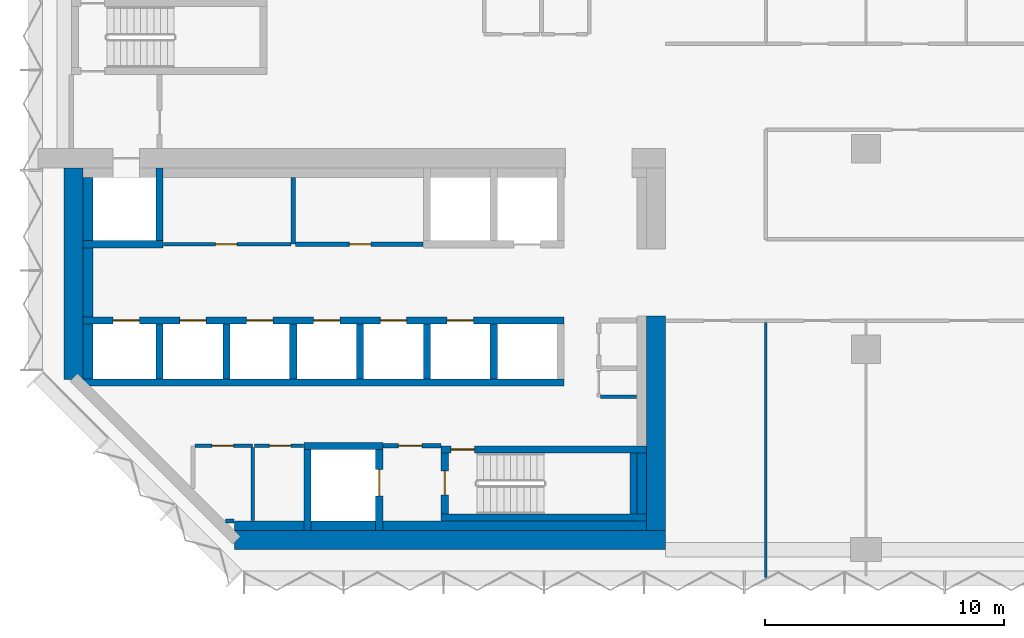
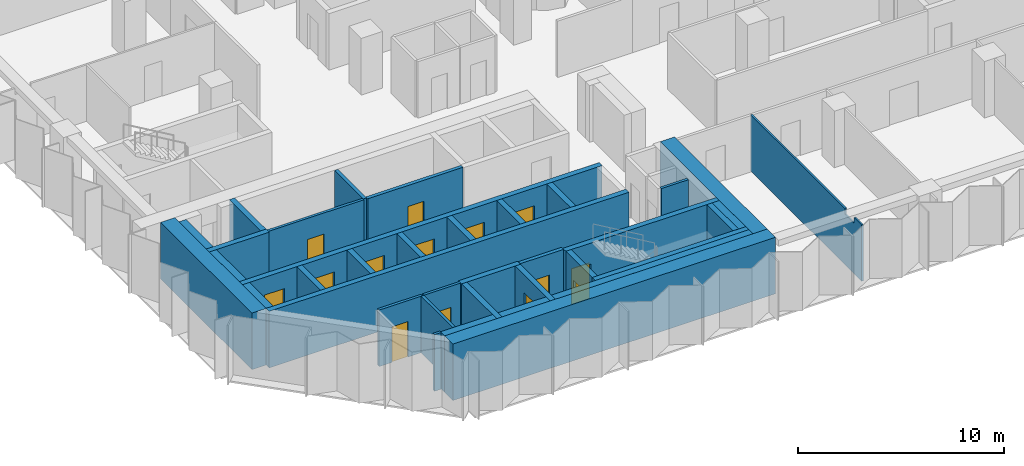
# One storey, part 7 of 13: 37 walls, 14 doors, 14 openings.
"""IFC4 building model written with IfcOpenShell, lengths in metres."""

from ifc_helpers import new_model, si_unit, direction, frame, frame_2d, origin, place, context, subcontext, project, spatial, polyline, rectangle, outline, extrude, material, layer, layer_set, type_object, element, fill, save


model = new_model("IFC4")

# Units and contexts
model_context = context("Model", 3, precision=1e-05, world=origin(), true_north=direction((0.0, 1.0)))
body_context = subcontext(model_context, "Body", "Model", "MODEL_VIEW")
ifc_project = project(units=[si_unit("LENGTHUNIT", "METRE"), si_unit("AREAUNIT", "SQUARE_METRE"), si_unit("VOLUMEUNIT", "CUBIC_METRE"), si_unit("PLANEANGLEUNIT", "RADIAN"), si_unit("MASSUNIT", "GRAM", prefix="KILO")], contexts=[model_context])

# Site, building, storey
site_placement = place(None, origin())
site = spatial("IfcSite", under=ifc_project, at=site_placement, CompositionType="ELEMENT")
building_placement = place(site_placement, origin())
building = spatial("IfcBuilding", under=site, at=building_placement, Name="Brevane Broadcast Tower", CompositionType="ELEMENT")
storey_placement = place(building_placement, frame((0.0, 0.0, 120.5)))
storey = spatial("IfcBuildingStorey", under=building, at=storey_placement, Name="L29", CompositionType="ELEMENT", Elevation=120.5)

# Walls
ifc_material_1 = material(Name="Concrete C32/40", Category="concrete")
ifc_layer_1 = layer(ifc_material_1, 0.39990234375)
ifc_layer_set_1 = layer_set([ifc_layer_1], Name="Core chase wall 400 mm")
wall_type_1 = type_object("IfcWallType", Name="Core chase wall 400 mm", PredefinedType="PARTITIONING", material=ifc_layer_set_1)
wall_1_placement = place(storey_placement, frame((1.0, 7.14990234375, 0.0), z_axis=(0.0, 0.0, 1.0), x_axis=(0.0, 1.0, 0.0)))
element("IfcWall", 1, at=wall_1_placement, inside=storey, type_object=wall_type_1, Name="L29 chase wall LW-2-1", PredefinedType="PARTITIONING", context=body_context, shape_type="SweptSolid", body=[
    extrude(rectangle(XDim=2.300048828125, YDim=0.39990234375, at=frame_2d((1.14990234375, 0.0))), origin(), (0.0, 0.0, 1.0), 3.35009765625),
])
wall_2_placement = place(storey_placement, frame((1.0, 9.75, 0.0), z_axis=(0.0, 0.0, 1.0), x_axis=(0.0, 1.0, 0.0)))
element("IfcWall", 2, at=wall_2_placement, inside=storey, type_object=wall_type_1, Name="L29 chase wall LW-2-2-1", PredefinedType="PARTITIONING", context=body_context, shape_type="SweptSolid", body=[
    extrude(rectangle(XDim=2.89990234375, YDim=0.39990234375, at=frame_2d((1.449951171875, 0.0))), origin(), (0.0, 0.0, 1.0), 3.35009765625),
])
wall_3_placement = place(storey_placement, frame((1.0, 12.949951171875, 0.0), z_axis=(0.0, 0.0, 1.0), x_axis=(0.0, 1.0, 0.0)))
element("IfcWall", 3, at=wall_3_placement, inside=storey, type_object=wall_type_1, Name="L29 chase wall LW-2-2-2", PredefinedType="PARTITIONING", context=body_context, shape_type="SweptSolid", body=[
    extrude(rectangle(XDim=2.650146484375, YDim=0.39990234375, at=frame_2d((1.3251953125, 0.0))), origin(), (0.0, 0.0, 1.0), 3.35009765625),
])
wall_4_placement = place(storey_placement, frame((7.136474609375, 1.0, 0.0), z_axis=(0.0, 0.0, 1.0), x_axis=(1.0, 0.0, 0.0)))
element("IfcWall", 4, at=wall_4_placement, inside=storey, type_object=wall_type_1, Name="L29 chase wall LS-1", PredefinedType="PARTITIONING", context=body_context, shape_type="SweptSolid", body=[
    extrude(rectangle(XDim=2.91357421875, YDim=0.39990234375, at=frame_2d((1.456787109375, 0.0))), origin(), (0.0, 0.0, 1.0), 3.35009765625),
])
wall_5_placement = place(storey_placement, frame((10.35009765625, 1.0, 0.0), z_axis=(0.0, 0.0, 1.0), x_axis=(1.0, 0.0, 0.0)))
element("IfcWall", 5, at=wall_5_placement, inside=storey, type_object=wall_type_1, Name="L29 chase wall LS-2-1", PredefinedType="PARTITIONING", context=body_context, shape_type="SweptSolid", body=[
    extrude(rectangle(XDim=2.699951171875, YDim=0.39990234375, at=frame_2d((1.35009765625, 0.0))), origin(), (0.0, 0.0, 1.0), 3.35009765625),
])
wall_6_placement = place(storey_placement, frame((13.35009765625, 1.0, 0.0), z_axis=(0.0, 0.0, 1.0), x_axis=(1.0, 0.0, 0.0)))
element("IfcWall", 6, at=wall_6_placement, inside=storey, type_object=wall_type_1, Name="L29 chase wall LS-2-2", PredefinedType="PARTITIONING", context=body_context, shape_type="SweptSolid", body=[
    extrude(rectangle(XDim=11.0498046875, YDim=0.39990234375, at=frame_2d((5.52490234375, 0.0))), origin(), (0.0, 0.0, 1.0), 3.35009765625),
])
wall_7_placement = place(storey_placement, frame((24.199951171875, 1.5, 0.0), z_axis=(0.0, 0.0, 1.0), x_axis=(0.0, 1.0, 0.0)))
element("IfcWall", 7, at=wall_7_placement, inside=storey, type_object=wall_type_1, Name="L29 chase wall LE1-2-1", PredefinedType="PARTITIONING", context=body_context, shape_type="SweptSolid", body=[
    extrude(rectangle(XDim=2.550048828125, YDim=0.39990234375, at=frame_2d((1.27490234375, 0.0))), origin(), (0.0, 0.0, 1.0), 3.35009765625),
])

# Wall, opening, door
ifc_material_2 = material(Name="Gypsum board on steel studs", Category="steel")
ifc_layer_2 = layer(ifc_material_2, 0.14990234375)
ifc_layer_set_2 = layer_set([ifc_layer_2], Name="Core fire partition 150 mm")
wall_type_2 = type_object("IfcWallType", Name="Core fire partition 150 mm", PredefinedType="PARTITIONING", material=ifc_layer_set_2)
wall_8_placement = place(storey_placement, frame((4.162109375, 12.800048828125, 0.0), z_axis=(0.0, 0.0, 1.0), x_axis=(1.0, 0.0, 0.0)))
wall_8 = element("IfcWall", 8, at=wall_8_placement, inside=storey, type_object=wall_type_2, Name="L29 partition wall P09", PredefinedType="PARTITIONING", context=body_context, shape_type="SweptSolid", body=[
    extrude(rectangle(XDim=5.337890625, YDim=0.14990234375, at=frame_2d((2.6689453125, 0.0))), origin(), (0.0, 0.0, 1.0), 3.35009765625),
])
opening_1_placement = place(wall_8_placement, frame((2.18798828125, 0.0, 0.0)))
opening_1 = element("IfcOpeningElement", 9, at=opening_1_placement, cuts=wall_8, Name="Opening L29-K21", PredefinedType="OPENING", context=body_context, shape_type="SweptSolid", body=[
    extrude(rectangle(XDim=0.89990234375, YDim=2.10009765625, at=frame_2d((0.449951171875, 1.050048828125))), frame((0.0, 0.0849609375, 0.0), z_axis=(0.0, -1.0, 0.0), x_axis=(1.0, 0.0, 0.0)), (0.0, 0.0, 1.0), 0.169921875),
])
ifc_material_3 = material(Name="Steel", Category="steel")
door_type_1 = type_object("IfcDoorType", Name="Service room door 900 x 2100", OperationType="SINGLE_SWING_LEFT", PredefinedType="DOOR", material=ifc_material_3)
door_1_placement = place(opening_1_placement, origin())
door_1 = element("IfcDoor", 10, at=door_1_placement, inside=storey, type_object=door_type_1, Name="Door L29-K21", OperationType="SINGLE_SWING_RIGHT", OverallHeight=2.10009765625, OverallWidth=0.89990234375, PredefinedType="DOOR", context=body_context, shape_type="SweptSolid", body=[
    extrude(rectangle(XDim=0.89990234375, YDim=2.10009765625, at=frame_2d((0.449951171875, 1.050048828125))), frame((0.0, 0.02490234375, 0.0), z_axis=(0.0, -1.0, 0.0), x_axis=(1.0, 0.0, 0.0)), (0.0, 0.0, 1.0), 0.050048828125),
])
fill(opening_1, door_1)

wall_9_placement = place(storey_placement, frame((5.47509765625, 4.35009765625, 0.0), z_axis=(0.0, 0.0, 1.0), x_axis=(1.0, 0.0, 0.0)))
wall_9 = element("IfcWall", 11, at=wall_9_placement, inside=storey, type_object=wall_type_2, Name="L29 partition wall P11", PredefinedType="PARTITIONING", context=body_context, shape_type="SweptSolid", body=[
    extrude(rectangle(XDim=2.4248046875, YDim=0.14990234375, at=frame_2d((1.21240234375, 0.0))), origin(), (0.0, 0.0, 1.0), 3.35009765625),
])
opening_2_placement = place(wall_9_placement, frame((0.72509765625, 0.0, 0.0)))
opening_2 = element("IfcOpeningElement", 12, at=opening_2_placement, cuts=wall_9, Name="Opening L29-K16", PredefinedType="OPENING", context=body_context, shape_type="SweptSolid", body=[
    extrude(rectangle(XDim=0.89990234375, YDim=2.10009765625, at=frame_2d((0.449951171875, 1.050048828125))), frame((0.0, 0.0849609375, 0.0), z_axis=(0.0, -1.0, 0.0), x_axis=(1.0, 0.0, 0.0)), (0.0, 0.0, 1.0), 0.169921875),
])
ifc_material_4 = material(Name="Timber", Category="wood")
door_type_2 = type_object("IfcDoorType", Name="Toilet door 900 x 2100", OperationType="SINGLE_SWING_LEFT", PredefinedType="DOOR", material=ifc_material_4)
door_2_placement = place(opening_2_placement, origin())
door_2 = element("IfcDoor", 13, at=door_2_placement, inside=storey, type_object=door_type_2, Name="Door L29-K16", OperationType="SINGLE_SWING_LEFT", OverallHeight=2.10009765625, OverallWidth=0.89990234375, PredefinedType="DOOR", context=body_context, shape_type="SweptSolid", body=[
    extrude(rectangle(XDim=0.89990234375, YDim=2.10009765625, at=frame_2d((0.449951171875, 1.050048828125))), frame((0.0, 0.02490234375, 0.0), z_axis=(0.0, -1.0, 0.0), x_axis=(1.0, 0.0, 0.0)), (0.0, 0.0, 1.0), 0.050048828125),
])
fill(opening_2, door_2)

# Walls
wall_10_placement = place(storey_placement, frame((7.89990234375, 4.27490234375, 0.0), z_axis=(0.0, 0.0, 1.0), x_axis=(0.0, -1.0, 0.0)))
element("IfcWall", 14, at=wall_10_placement, inside=storey, type_object=wall_type_2, Name="L29 partition wall P12", PredefinedType="PARTITIONING", context=body_context, shape_type="SweptSolid", body=[
    extrude(rectangle(XDim=3.06298828125, YDim=0.14990234375, at=frame_2d((1.531494140625, 0.0))), origin(), (0.0, 0.0, 1.0), 3.35009765625),
])
wall_11_placement = place(storey_placement, frame((7.12451171875, 1.199951171875, 0.0), z_axis=(0.0, 0.0, 1.0), x_axis=(-1.0, 0.0, 0.0)))
element("IfcWall", 15, at=wall_11_placement, inside=storey, type_object=wall_type_2, Name="L29 partition wall P13", PredefinedType="PARTITIONING", context=body_context, shape_type="SweptSolid", body=[
    extrude(rectangle(XDim=0.37109375, YDim=0.14990234375, at=frame_2d((0.185546875, 0.0))), origin(), (0.0, 0.0, 1.0), 3.35009765625),
])

# Wall, opening, door
wall_12_placement = place(storey_placement, frame((10.0380859375, 4.35009765625, 0.0), z_axis=(0.0, 0.0, 1.0), x_axis=(-1.0, 0.0, 0.0)))
wall_12 = element("IfcWall", 16, at=wall_12_placement, inside=storey, type_object=wall_type_2, Name="L29 partition wall P14", PredefinedType="PARTITIONING", context=body_context, shape_type="SweptSolid", body=[
    extrude(rectangle(XDim=2.06298828125, YDim=0.14990234375, at=frame_2d((1.031494140625, 0.0))), origin(), (0.0, 0.0, 1.0), 3.35009765625),
])
opening_3_placement = place(wall_12_placement, frame((0.5380859375, 0.0, 0.0)))
opening_3 = element("IfcOpeningElement", 17, at=opening_3_placement, cuts=wall_12, Name="Opening L29-K17", PredefinedType="OPENING", context=body_context, shape_type="SweptSolid", body=[
    extrude(rectangle(XDim=0.89990234375, YDim=2.10009765625, at=frame_2d((0.449951171875, 1.050048828125))), frame((0.0, 0.0849609375, 0.0), z_axis=(0.0, -1.0, 0.0), x_axis=(1.0, 0.0, 0.0)), (0.0, 0.0, 1.0), 0.169921875),
])
door_3_placement = place(opening_3_placement, origin())
door_3 = element("IfcDoor", 18, at=door_3_placement, inside=storey, type_object=door_type_2, Name="Door L29-K17", OperationType="SINGLE_SWING_RIGHT", OverallHeight=2.10009765625, OverallWidth=0.89990234375, PredefinedType="DOOR", context=body_context, shape_type="SweptSolid", body=[
    extrude(rectangle(XDim=0.89990234375, YDim=2.10009765625, at=frame_2d((0.449951171875, 1.050048828125))), frame((0.0, 0.02490234375, 0.0), z_axis=(0.0, -1.0, 0.0), x_axis=(1.0, 0.0, 0.0)), (0.0, 0.0, 1.0), 0.050048828125),
])
fill(opening_3, door_3)

# Wall
wall_13_placement = place(storey_placement, frame((22.47509765625, 6.39990234375, 0.0), z_axis=(0.0, 0.0, 1.0), x_axis=(1.0, 0.0, 0.0)))
element("IfcWall", 19, at=wall_13_placement, inside=storey, type_object=wall_type_2, Name="L29 partition wall P23", PredefinedType="PARTITIONING", context=body_context, shape_type="SweptSolid", body=[
    extrude(rectangle(XDim=1.512939453125, YDim=0.14990234375, at=frame_2d((0.75634765625, 0.0))), origin(), (0.0, 0.0, 1.0), 3.35009765625),
])

# Wall, opening, door
ifc_layer_3 = layer(ifc_material_2, 0.199951171875)
ifc_layer_set_3 = layer_set([ifc_layer_3], Name="Core fire partition 200 mm")
wall_type_3 = type_object("IfcWallType", Name="Core fire partition 200 mm", PredefinedType="PARTITIONING", material=ifc_layer_set_3)
wall_14_placement = place(storey_placement, frame((13.362060546875, 4.35009765625, 0.0), z_axis=(0.0, 0.0, 1.0), x_axis=(1.0, 0.0, 0.0)))
wall_14 = element("IfcWall", 20, at=wall_14_placement, inside=storey, type_object=wall_type_3, Name="L29 partition wall P03", PredefinedType="PARTITIONING", context=body_context, shape_type="SweptSolid", body=[
    extrude(rectangle(XDim=2.426025390625, YDim=0.199951171875, at=frame_2d((1.212890625, 0.0))), origin(), (0.0, 0.0, 1.0), 3.35009765625),
])
opening_4_placement = place(wall_14_placement, frame((0.637939453125, 0.0, 0.0)))
opening_4 = element("IfcOpeningElement", 21, at=opening_4_placement, cuts=wall_14, Name="Opening L29-K18", PredefinedType="OPENING", context=body_context, shape_type="SweptSolid", body=[
    extrude(rectangle(XDim=1.0, YDim=2.10009765625, at=frame_2d((0.5, 1.050048828125))), frame((0.0, 0.10986328125, 0.0), z_axis=(0.0, -1.0, 0.0), x_axis=(1.0, 0.0, 0.0)), (0.0, 0.0, 1.0), 0.219970703125),
])
door_type_3 = type_object("IfcDoorType", Name="Stair door 1000 x 2100", OperationType="SINGLE_SWING_LEFT", PredefinedType="DOOR", material=ifc_material_3)
door_4_placement = place(opening_4_placement, origin())
door_4 = element("IfcDoor", 22, at=door_4_placement, inside=storey, type_object=door_type_3, Name="Door L29-K18", OperationType="SINGLE_SWING_LEFT", OverallHeight=2.10009765625, OverallWidth=1.0, PredefinedType="DOOR", context=body_context, shape_type="SweptSolid", body=[
    extrude(rectangle(XDim=1.0, YDim=2.10009765625, at=frame_2d((0.5, 1.050048828125))), frame((0.0, 0.02490234375, 0.0), z_axis=(0.0, -1.0, 0.0), x_axis=(1.0, 0.0, 0.0)), (0.0, 0.0, 1.0), 0.050048828125),
])
fill(opening_4, door_4)

# Wall
wall_15_placement = place(storey_placement, frame((9.60009765625, 15.587890625, 0.0), z_axis=(0.0, 0.0, 1.0), x_axis=(0.0, -1.0, 0.0)))
element("IfcWall", 23, at=wall_15_placement, inside=storey, type_object=wall_type_3, Name="L29 partition wall P04", PredefinedType="PARTITIONING", context=body_context, shape_type="SweptSolid", body=[
    extrude(rectangle(XDim=2.787841796875, YDim=0.199951171875, at=frame_2d((1.39404296875, 0.0))), origin(), (0.0, 0.0, 1.0), 3.35009765625),
])

# Wall, opening, door
wall_16_placement = place(storey_placement, frame((9.699951171875, 12.800048828125, 0.0), z_axis=(0.0, 0.0, 1.0), x_axis=(1.0, 0.0, 0.0)))
wall_16 = element("IfcWall", 24, at=wall_16_placement, inside=storey, type_object=wall_type_3, Name="L29 partition wall P05", PredefinedType="PARTITIONING", context=body_context, shape_type="SweptSolid", body=[
    extrude(rectangle(XDim=5.338134765625, YDim=0.199951171875, at=frame_2d((2.6689453125, 0.0))), origin(), (0.0, 0.0, 1.0), 3.35009765625),
])
opening_5_placement = place(wall_16_placement, frame((2.25, 0.0, 0.0)))
opening_5 = element("IfcOpeningElement", 25, at=opening_5_placement, cuts=wall_16, Name="Opening L29-K22", PredefinedType="OPENING", context=body_context, shape_type="SweptSolid", body=[
    extrude(rectangle(XDim=0.89990234375, YDim=2.10009765625, at=frame_2d((0.449951171875, 1.050048828125))), frame((0.0, 0.10986328125, 0.0), z_axis=(0.0, -1.0, 0.0), x_axis=(1.0, 0.0, 0.0)), (0.0, 0.0, 1.0), 0.219970703125),
])
door_5_placement = place(opening_5_placement, origin())
door_5 = element("IfcDoor", 26, at=door_5_placement, inside=storey, type_object=door_type_1, Name="Door L29-K22", OperationType="SINGLE_SWING_LEFT", OverallHeight=2.10009765625, OverallWidth=0.89990234375, PredefinedType="DOOR", context=body_context, shape_type="SweptSolid", body=[
    extrude(rectangle(XDim=0.89990234375, YDim=2.10009765625, at=frame_2d((0.449951171875, 1.050048828125))), frame((0.0, 0.02490234375, 0.0), z_axis=(0.0, -1.0, 0.0), x_axis=(1.0, 0.0, 0.0)), (0.0, 0.0, 1.0), 0.050048828125),
])
fill(opening_5, door_5)

# Wall
ifc_material_5 = material(Name="Concrete C60/75", Category="concrete")
ifc_layer_4 = layer(ifc_material_5, 0.300048828125)
ifc_layer_set_4 = layer_set([ifc_layer_4], Name="Core wall 300 mm C60/75")
wall_type_4 = type_object("IfcWallType", Name="Core wall 300 mm C60/75", PredefinedType="SHEAR", material=ifc_layer_set_4)
wall_17_placement = place(storey_placement, frame((0.800048828125, 7.0, 0.0), z_axis=(0.0, 0.0, 1.0), x_axis=(1.0, 0.0, 0.0)))
element("IfcWall", 27, at=wall_17_placement, inside=storey, type_object=wall_type_4, Name="L29 shaft wall SH-S012-back", PredefinedType="SHEAR", context=body_context, shape_type="SweptSolid", body=[
    extrude(rectangle(XDim=20.14990234375, YDim=0.300048828125, at=frame_2d((10.074951171875, 0.0))), origin(), (0.0, 0.0, 1.0), 3.35009765625),
])

# Wall, openings, doors
wall_18_placement = place(storey_placement, frame((0.800048828125, 9.60009765625, 0.0), z_axis=(0.0, 0.0, 1.0), x_axis=(1.0, 0.0, 0.0)))
wall_18 = element("IfcWall", 28, at=wall_18_placement, inside=storey, type_object=wall_type_4, Name="L29 shaft wall SH-S012-front", PredefinedType="SHEAR", context=body_context, shape_type="SweptSolid", body=[
    extrude(rectangle(XDim=20.14990234375, YDim=0.300048828125, at=frame_2d((10.074951171875, 0.0))), origin(), (0.0, 0.0, 1.0), 3.35009765625),
])
opening_6_placement = place(wall_18_placement, frame((1.25, 0.0, 0.0)))
opening_6 = element("IfcOpeningElement", 29, at=opening_6_placement, cuts=wall_18, Name="Opening LD", PredefinedType="OPENING", context=body_context, shape_type="SweptSolid", body=[
    extrude(rectangle(XDim=1.10009765625, YDim=2.300048828125, at=frame_2d((0.550048828125, 1.14990234375))), frame((0.0, 0.159912109375, 0.0), z_axis=(0.0, -1.0, 0.0), x_axis=(1.0, 0.0, 0.0)), (0.0, 0.0, 1.0), 0.320068359375),
])
opening_7_placement = place(wall_18_placement, frame((4.050048828125, 0.0, 0.0)))
opening_7 = element("IfcOpeningElement", 30, at=opening_7_placement, cuts=wall_18, Name="Opening LD", PredefinedType="OPENING", context=body_context, shape_type="SweptSolid", body=[
    extrude(rectangle(XDim=1.10009765625, YDim=2.300048828125, at=frame_2d((0.550048828125, 1.14990234375))), frame((0.0, 0.159912109375, 0.0), z_axis=(0.0, -1.0, 0.0), x_axis=(1.0, 0.0, 0.0)), (0.0, 0.0, 1.0), 0.320068359375),
])
opening_8_placement = place(wall_18_placement, frame((6.85009765625, 0.0, 0.0)))
opening_8 = element("IfcOpeningElement", 31, at=opening_8_placement, cuts=wall_18, Name="Opening LD", PredefinedType="OPENING", context=body_context, shape_type="SweptSolid", body=[
    extrude(rectangle(XDim=1.10009765625, YDim=2.300048828125, at=frame_2d((0.550048828125, 1.14990234375))), frame((0.0, 0.159912109375, 0.0), z_axis=(0.0, -1.0, 0.0), x_axis=(1.0, 0.0, 0.0)), (0.0, 0.0, 1.0), 0.320068359375),
])
opening_9_placement = place(wall_18_placement, frame((9.64990234375, 0.0, 0.0)))
opening_9 = element("IfcOpeningElement", 32, at=opening_9_placement, cuts=wall_18, Name="Opening LD", PredefinedType="OPENING", context=body_context, shape_type="SweptSolid", body=[
    extrude(rectangle(XDim=1.10009765625, YDim=2.300048828125, at=frame_2d((0.550048828125, 1.14990234375))), frame((0.0, 0.159912109375, 0.0), z_axis=(0.0, -1.0, 0.0), x_axis=(1.0, 0.0, 0.0)), (0.0, 0.0, 1.0), 0.320068359375),
])
opening_10_placement = place(wall_18_placement, frame((12.449951171875, 0.0, 0.0)))
opening_10 = element("IfcOpeningElement", 33, at=opening_10_placement, cuts=wall_18, Name="Opening LD", PredefinedType="OPENING", context=body_context, shape_type="SweptSolid", body=[
    extrude(rectangle(XDim=1.10009765625, YDim=2.300048828125, at=frame_2d((0.550048828125, 1.14990234375))), frame((0.0, 0.159912109375, 0.0), z_axis=(0.0, -1.0, 0.0), x_axis=(1.0, 0.0, 0.0)), (0.0, 0.0, 1.0), 0.320068359375),
])
opening_11_placement = place(wall_18_placement, frame((15.25, 0.0, 0.0)))
opening_11 = element("IfcOpeningElement", 34, at=opening_11_placement, cuts=wall_18, Name="Opening LD", PredefinedType="OPENING", context=body_context, shape_type="SweptSolid", body=[
    extrude(rectangle(XDim=1.10009765625, YDim=2.300048828125, at=frame_2d((0.550048828125, 1.14990234375))), frame((0.0, 0.159912109375, 0.0), z_axis=(0.0, -1.0, 0.0), x_axis=(1.0, 0.0, 0.0)), (0.0, 0.0, 1.0), 0.320068359375),
])
ifc_material_6 = material(Name="Stainless steel", Category="steel")
door_type_4 = type_object("IfcDoorType", Name="Lift landing door", OperationType="SLIDING_TO_LEFT", PredefinedType="DOOR", material=ifc_material_6)
door_6_placement = place(opening_6_placement, origin())
door_6 = element("IfcDoor", 35, at=door_6_placement, inside=storey, type_object=door_type_4, Name="Landing door LR1 L29", OperationType="SLIDING_TO_LEFT", OverallHeight=2.300048828125, OverallWidth=1.10009765625, PredefinedType="DOOR", context=body_context, shape_type="SweptSolid", body=[
    extrude(rectangle(XDim=1.10009765625, YDim=2.300048828125, at=frame_2d((0.550048828125, 1.14990234375))), frame((0.0, 0.02490234375, 0.0), z_axis=(0.0, -1.0, 0.0), x_axis=(1.0, 0.0, 0.0)), (0.0, 0.0, 1.0), 0.050048828125),
])
fill(opening_6, door_6)
door_7_placement = place(opening_7_placement, origin())
door_7 = element("IfcDoor", 36, at=door_7_placement, inside=storey, type_object=door_type_4, Name="Landing door LR2 L29", OperationType="SLIDING_TO_LEFT", OverallHeight=2.300048828125, OverallWidth=1.10009765625, PredefinedType="DOOR", context=body_context, shape_type="SweptSolid", body=[
    extrude(rectangle(XDim=1.10009765625, YDim=2.300048828125, at=frame_2d((0.550048828125, 1.14990234375))), frame((0.0, 0.02490234375, 0.0), z_axis=(0.0, -1.0, 0.0), x_axis=(1.0, 0.0, 0.0)), (0.0, 0.0, 1.0), 0.050048828125),
])
fill(opening_7, door_7)
door_8_placement = place(opening_8_placement, origin())
door_8 = element("IfcDoor", 37, at=door_8_placement, inside=storey, type_object=door_type_4, Name="Landing door LR3 L29", OperationType="SLIDING_TO_LEFT", OverallHeight=2.300048828125, OverallWidth=1.10009765625, PredefinedType="DOOR", context=body_context, shape_type="SweptSolid", body=[
    extrude(rectangle(XDim=1.10009765625, YDim=2.300048828125, at=frame_2d((0.550048828125, 1.14990234375))), frame((0.0, 0.02490234375, 0.0), z_axis=(0.0, -1.0, 0.0), x_axis=(1.0, 0.0, 0.0)), (0.0, 0.0, 1.0), 0.050048828125),
])
fill(opening_8, door_8)
door_9_placement = place(opening_9_placement, origin())
door_9 = element("IfcDoor", 38, at=door_9_placement, inside=storey, type_object=door_type_4, Name="Landing door LR4 L29", OperationType="SLIDING_TO_LEFT", OverallHeight=2.300048828125, OverallWidth=1.10009765625, PredefinedType="DOOR", context=body_context, shape_type="SweptSolid", body=[
    extrude(rectangle(XDim=1.10009765625, YDim=2.300048828125, at=frame_2d((0.550048828125, 1.14990234375))), frame((0.0, 0.02490234375, 0.0), z_axis=(0.0, -1.0, 0.0), x_axis=(1.0, 0.0, 0.0)), (0.0, 0.0, 1.0), 0.050048828125),
])
fill(opening_9, door_9)
door_10_placement = place(opening_10_placement, origin())
door_10 = element("IfcDoor", 39, at=door_10_placement, inside=storey, type_object=door_type_4, Name="Landing door LR5 L29", OperationType="SLIDING_TO_LEFT", OverallHeight=2.300048828125, OverallWidth=1.10009765625, PredefinedType="DOOR", context=body_context, shape_type="SweptSolid", body=[
    extrude(rectangle(XDim=1.10009765625, YDim=2.300048828125, at=frame_2d((0.550048828125, 1.14990234375))), frame((0.0, 0.02490234375, 0.0), z_axis=(0.0, -1.0, 0.0), x_axis=(1.0, 0.0, 0.0)), (0.0, 0.0, 1.0), 0.050048828125),
])
fill(opening_10, door_10)
door_11_placement = place(opening_11_placement, origin())
door_11 = element("IfcDoor", 40, at=door_11_placement, inside=storey, type_object=door_type_4, Name="Landing door LR6 L29", OperationType="SLIDING_TO_LEFT", OverallHeight=2.300048828125, OverallWidth=1.10009765625, PredefinedType="DOOR", context=body_context, shape_type="SweptSolid", body=[
    extrude(rectangle(XDim=1.10009765625, YDim=2.300048828125, at=frame_2d((0.550048828125, 1.14990234375))), frame((0.0, 0.02490234375, 0.0), z_axis=(0.0, -1.0, 0.0), x_axis=(1.0, 0.0, 0.0)), (0.0, 0.0, 1.0), 0.050048828125),
])
fill(opening_11, door_11)

# Walls
for number, where, z_axis, x_axis, name in (
    (41, (4.0, 7.14990234375, 0.0), (0.0, 0.0, 1.0), (0.0, 1.0, 0.0), "L29 shaft wall SH-S-P040"),
    (42, (6.800048828125, 7.14990234375, 0.0), (0.0, 0.0, 1.0), (0.0, 1.0, 0.0), "L29 shaft wall SH-S-P068"),
    (43, (9.60009765625, 7.14990234375, 0.0), (0.0, 0.0, 1.0), (0.0, 1.0, 0.0), "L29 shaft wall SH-S-P096"),
    (44, (12.39990234375, 7.14990234375, 0.0), (0.0, 0.0, 1.0), (0.0, 1.0, 0.0), "L29 shaft wall SH-S-P124"),
    (45, (15.199951171875, 7.14990234375, 0.0), (0.0, 0.0, 1.0), (0.0, 1.0, 0.0), "L29 shaft wall SH-S-P152"),
    (46, (18.0, 7.14990234375, 0.0), (0.0, 0.0, 1.0), (0.0, 1.0, 0.0), "L29 shaft wall SH-S-P180"),
):
    element("IfcWall", number, at=place(storey_placement, frame(where, z_axis=z_axis, x_axis=x_axis)), inside=storey, type_object=wall_type_4, Name=name, PredefinedType="SHEAR", context=body_context, shape_type="SweptSolid", body=[
        extrude(rectangle(XDim=2.300048828125, YDim=0.300048828125, at=frame_2d((1.14990234375, 0.0))), origin(), (0.0, 0.0, 1.0), 3.35009765625),
    ])
wall_19_placement = place(storey_placement, frame((0.800048828125, 12.800048828125, 0.0), z_axis=(0.0, 0.0, 1.0), x_axis=(1.0, 0.0, 0.0)))
element("IfcWall", 47, at=wall_19_placement, inside=storey, type_object=wall_type_4, Name="L29 shaft wall SH-N012-front", PredefinedType="SHEAR", context=body_context, shape_type="SweptSolid", body=[
    extrude(rectangle(XDim=3.349853515625, YDim=0.300048828125, at=frame_2d((1.6748046875, 0.0))), origin(), (0.0, 0.0, 1.0), 3.35009765625),
])
wall_20_placement = place(storey_placement, frame((4.0, 12.949951171875, 0.0), z_axis=(0.0, 0.0, 1.0), x_axis=(0.0, 1.0, 0.0)))
element("IfcWall", 48, at=wall_20_placement, inside=storey, type_object=wall_type_4, Name="L29 shaft wall SH-N-P040", PredefinedType="SHEAR", context=body_context, shape_type="SweptSolid", body=[
    extrude(rectangle(XDim=3.050048828125, YDim=0.300048828125, at=frame_2d((1.52490234375, 0.0))), origin(), (0.0, 0.0, 1.0), 3.35009765625),
])
wall_21_placement = place(storey_placement, frame((10.199951171875, 0.800048828125, 0.0), z_axis=(0.0, 0.0, 1.0), x_axis=(0.0, 1.0, 0.0)))
element("IfcWall", 49, at=wall_21_placement, inside=storey, type_object=wall_type_4, Name="L29 shaft wall FF2-W", PredefinedType="SHEAR", context=body_context, shape_type="SweptSolid", body=[
    extrude(rectangle(XDim=3.39990234375, YDim=0.300048828125, at=frame_2d((1.699951171875, 0.0))), origin(), (0.0, 0.0, 1.0), 3.35009765625),
])

# Wall, opening, door
wall_22_placement = place(storey_placement, frame((13.199951171875, 0.800048828125, 0.0), z_axis=(0.0, 0.0, 1.0), x_axis=(0.0, 1.0, 0.0)))
wall_22 = element("IfcWall", 50, at=wall_22_placement, inside=storey, type_object=wall_type_4, Name="L29 shaft wall FF2-E", PredefinedType="SHEAR", context=body_context, shape_type="SweptSolid", body=[
    extrude(rectangle(XDim=3.39990234375, YDim=0.300048828125, at=frame_2d((1.699951171875, 0.0))), origin(), (0.0, 0.0, 1.0), 3.35009765625),
])
opening_12_placement = place(wall_22_placement, frame((1.449951171875, 0.0, 0.0)))
opening_12 = element("IfcOpeningElement", 51, at=opening_12_placement, cuts=wall_22, Name="Opening LD", PredefinedType="OPENING", context=body_context, shape_type="SweptSolid", body=[
    extrude(rectangle(XDim=1.10009765625, YDim=2.300048828125, at=frame_2d((0.550048828125, 1.14990234375))), frame((0.0, 0.159912109375, 0.0), z_axis=(0.0, -1.0, 0.0), x_axis=(1.0, 0.0, 0.0)), (0.0, 0.0, 1.0), 0.320068359375),
])
door_12_placement = place(opening_12_placement, origin())
door_12 = element("IfcDoor", 52, at=door_12_placement, inside=storey, type_object=door_type_4, Name="Landing door FF2 L29", OperationType="SLIDING_TO_LEFT", OverallHeight=2.300048828125, OverallWidth=1.10009765625, PredefinedType="DOOR", context=body_context, shape_type="SweptSolid", body=[
    extrude(rectangle(XDim=1.10009765625, YDim=2.300048828125, at=frame_2d((0.550048828125, 1.14990234375))), frame((0.0, 0.02490234375, 0.0), z_axis=(0.0, -1.0, 0.0), x_axis=(1.0, 0.0, 0.0)), (0.0, 0.0, 1.0), 0.050048828125),
])
fill(opening_12, door_12)

# Walls
wall_23_placement = place(storey_placement, frame((10.050048828125, 4.35009765625, 0.0), z_axis=(0.0, 0.0, 1.0), x_axis=(1.0, 0.0, 0.0)))
element("IfcWall", 53, at=wall_23_placement, inside=storey, type_object=wall_type_4, Name="L29 shaft wall FF2-N", PredefinedType="SHEAR", context=body_context, shape_type="SweptSolid", body=[
    extrude(rectangle(XDim=3.300048828125, YDim=0.300048828125, at=frame_2d((1.64990234375, 0.0))), origin(), (0.0, 0.0, 1.0), 3.35009765625),
])
wall_24_placement = place(storey_placement, frame((15.800048828125, 1.35009765625, 0.0), z_axis=(0.0, 0.0, 1.0), x_axis=(1.0, 0.0, 0.0)))
element("IfcWall", 54, at=wall_24_placement, inside=storey, type_object=wall_type_4, Name="L29 stair wall ST-2-S", PredefinedType="SHEAR", context=body_context, shape_type="SweptSolid", body=[
    extrude(rectangle(XDim=8.599853515625, YDim=0.300048828125, at=frame_2d((4.2998046875, 0.0))), origin(), (0.0, 0.0, 1.0), 3.35009765625),
])

# Wall, opening, door
wall_25_placement = place(storey_placement, frame((15.800048828125, 4.199951171875, 0.0), z_axis=(0.0, 0.0, 1.0), x_axis=(1.0, 0.0, 0.0)))
wall_25 = element("IfcWall", 55, at=wall_25_placement, inside=storey, type_object=wall_type_4, Name="L29 stair wall ST-2-N", PredefinedType="SHEAR", context=body_context, shape_type="SweptSolid", body=[
    extrude(rectangle(XDim=8.599853515625, YDim=0.300048828125, at=frame_2d((4.2998046875, 0.0))), origin(), (0.0, 0.0, 1.0), 3.35009765625),
])
opening_13_placement = place(wall_25_placement, frame((0.39990234375, 0.0, 0.0)))
opening_13 = element("IfcOpeningElement", 56, at=opening_13_placement, cuts=wall_25, Name="Opening L29-K13", PredefinedType="OPENING", context=body_context, shape_type="SweptSolid", body=[
    extrude(rectangle(XDim=1.0, YDim=2.10009765625, at=frame_2d((0.5, 1.050048828125))), frame((0.0, 0.159912109375, 0.0), z_axis=(0.0, -1.0, 0.0), x_axis=(1.0, 0.0, 0.0)), (0.0, 0.0, 1.0), 0.320068359375),
])
door_13_placement = place(opening_13_placement, origin())
door_13 = element("IfcDoor", 57, at=door_13_placement, inside=storey, type_object=door_type_3, Name="Door L29-K13", OperationType="SINGLE_SWING_RIGHT", OverallHeight=2.10009765625, OverallWidth=1.0, PredefinedType="DOOR", context=body_context, shape_type="SweptSolid", body=[
    extrude(rectangle(XDim=1.0, YDim=2.10009765625, at=frame_2d((0.5, 1.050048828125))), frame((0.0, 0.02490234375, 0.0), z_axis=(0.0, -1.0, 0.0), x_axis=(1.0, 0.0, 0.0)), (0.0, 0.0, 1.0), 0.050048828125),
])
fill(opening_13, door_13)

wall_26_placement = place(storey_placement, frame((15.949951171875, 1.5, 0.0), z_axis=(0.0, 0.0, 1.0), x_axis=(0.0, 1.0, 0.0)))
wall_26 = element("IfcWall", 58, at=wall_26_placement, inside=storey, type_object=wall_type_4, Name="L29 stair wall ST-2-W", PredefinedType="SHEAR", context=body_context, shape_type="SweptSolid", body=[
    extrude(rectangle(XDim=2.550048828125, YDim=0.300048828125, at=frame_2d((1.27490234375, 0.0))), origin(), (0.0, 0.0, 1.0), 3.35009765625),
])
opening_14_placement = place(wall_26_placement, frame((0.800048828125, 0.0, 0.0)))
opening_14 = element("IfcOpeningElement", 59, at=opening_14_placement, cuts=wall_26, Name="Opening L29-K12", PredefinedType="OPENING", context=body_context, shape_type="SweptSolid", body=[
    extrude(rectangle(XDim=1.0, YDim=2.10009765625, at=frame_2d((0.5, 1.050048828125))), frame((0.0, 0.159912109375, 0.0), z_axis=(0.0, -1.0, 0.0), x_axis=(1.0, 0.0, 0.0)), (0.0, 0.0, 1.0), 0.320068359375),
])
door_14_placement = place(opening_14_placement, origin())
door_14 = element("IfcDoor", 60, at=door_14_placement, inside=storey, type_object=door_type_3, Name="Door L29-K12", OperationType="SINGLE_SWING_LEFT", OverallHeight=2.10009765625, OverallWidth=1.0, PredefinedType="DOOR", context=body_context, shape_type="SweptSolid", body=[
    extrude(rectangle(XDim=1.0, YDim=2.10009765625, at=frame_2d((0.5, 1.050048828125))), frame((0.0, 0.02490234375, 0.0), z_axis=(0.0, -1.0, 0.0), x_axis=(1.0, 0.0, 0.0)), (0.0, 0.0, 1.0), 0.050048828125),
])
fill(opening_14, door_14)

# Walls
wall_27_placement = place(storey_placement, frame((23.85009765625, 1.5, 0.0), z_axis=(0.0, 0.0, 1.0), x_axis=(0.0, 1.0, 0.0)))
element("IfcWall", 61, at=wall_27_placement, inside=storey, type_object=wall_type_4, Name="L29 stair wall ST-2-E", PredefinedType="SHEAR", context=body_context, shape_type="SweptSolid", body=[
    extrude(rectangle(XDim=2.550048828125, YDim=0.300048828125, at=frame_2d((1.27490234375, 0.0))), origin(), (0.0, 0.0, 1.0), 3.35009765625),
])
ifc_layer_5 = layer(ifc_material_5, 0.800048828125)
ifc_layer_set_5 = layer_set([ifc_layer_5], Name="Core wall 800 mm C60/75")
wall_type_5 = type_object("IfcWallType", Name="Core wall 800 mm C60/75", PredefinedType="SHEAR", material=ifc_layer_set_5)
wall_28_placement = place(storey_placement, frame((7.136474609375, 0.39990234375, 0.0), z_axis=(0.0, 0.0, 1.0), x_axis=(1.0, 0.0, 0.0)))
element("IfcWall", 62, at=wall_28_placement, inside=storey, type_object=wall_type_5, Name="L29 outer wall WS", PredefinedType="SHEAR", context=body_context, shape_type="SweptSolid", body=[
    extrude(rectangle(XDim=18.0634765625, YDim=0.800048828125, at=frame_2d((9.03173828125, 0.0))), origin(), (0.0, 0.0, 1.0), 3.35009765625),
])
wall_29_placement = place(storey_placement, frame((0.39990234375, 7.136474609375, 0.0), z_axis=(0.0, 0.0, 1.0), x_axis=(0.0, 1.0, 0.0)))
element("IfcWall", 63, at=wall_29_placement, inside=storey, type_object=wall_type_5, Name="L29 outer wall WW", PredefinedType="SHEAR", context=body_context, shape_type="SweptSolid", body=[
    extrude(rectangle(XDim=8.863525390625, YDim=0.800048828125, at=frame_2d((4.431640625, 0.0))), origin(), (0.0, 0.0, 1.0), 3.35009765625),
])
wall_30_placement = place(storey_placement, frame((24.800048828125, 0.800048828125, 0.0), z_axis=(0.0, 0.0, 1.0), x_axis=(0.0, 1.0, 0.0)))
element("IfcWall", 64, at=wall_30_placement, inside=storey, type_object=wall_type_5, Name="L29 outer wall WE1", PredefinedType="SHEAR", context=body_context, shape_type="SweptSolid", body=[
    extrude(rectangle(XDim=9.0, YDim=0.800048828125, at=frame_2d((4.5, 0.0))), origin(), (0.0, 0.0, 1.0), 3.35009765625),
])
ifc_material_7 = material(Name="Gypsum board partition")
ifc_layer_6 = layer(ifc_material_7, 0.10009765625)
ifc_layer_set_6 = layer_set([ifc_layer_6], Name="PARTITION 100 STUD")
wall_type_6 = type_object("IfcWallType", Name="PARTITION 100 STUD", PredefinedType="PARTITIONING", material=ifc_layer_set_6)
wall_31_placement = place(storey_placement, frame((29.39990234375, 9.60009765625, 0.0), z_axis=(0.0, 0.0, 1.0), x_axis=(0.0, -1.0, 0.0)))
element("IfcWall", 65, at=wall_31_placement, inside=storey, type_object=wall_type_6, Name="Partition G08-026", PredefinedType="PARTITIONING", context=body_context, shape_type="SweptSolid", body=[
    extrude(outline(polyline([(0.0, 0.0), (10.774169921875, 0.0), (10.77392578125, 3.330078125), (10.699951171875, 3.330078125), (10.050048828125, 3.330078125), (10.048095703125, 2.97998046875), (9.152099609375, 2.97998046875), (9.14990234375, 3.330078125), (0.0, 3.330078125), (0.0, 0.0)])), frame((0.0, 0.050048828125, 0.0), z_axis=(0.0, -1.0, 0.0), x_axis=(1.0, 0.0, 0.0)), (0.0, 0.0, 1.0), 0.10009765625),
])

save(model, "model.ifc")
